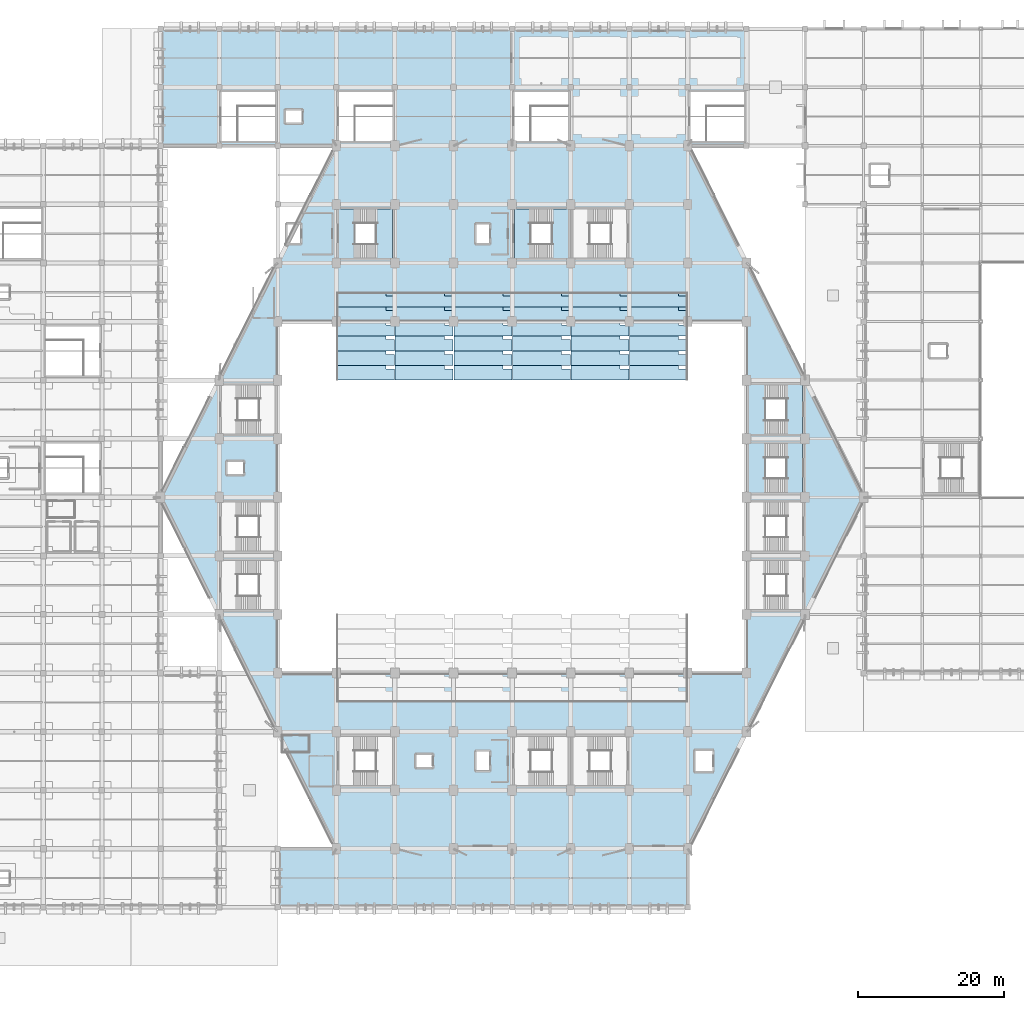
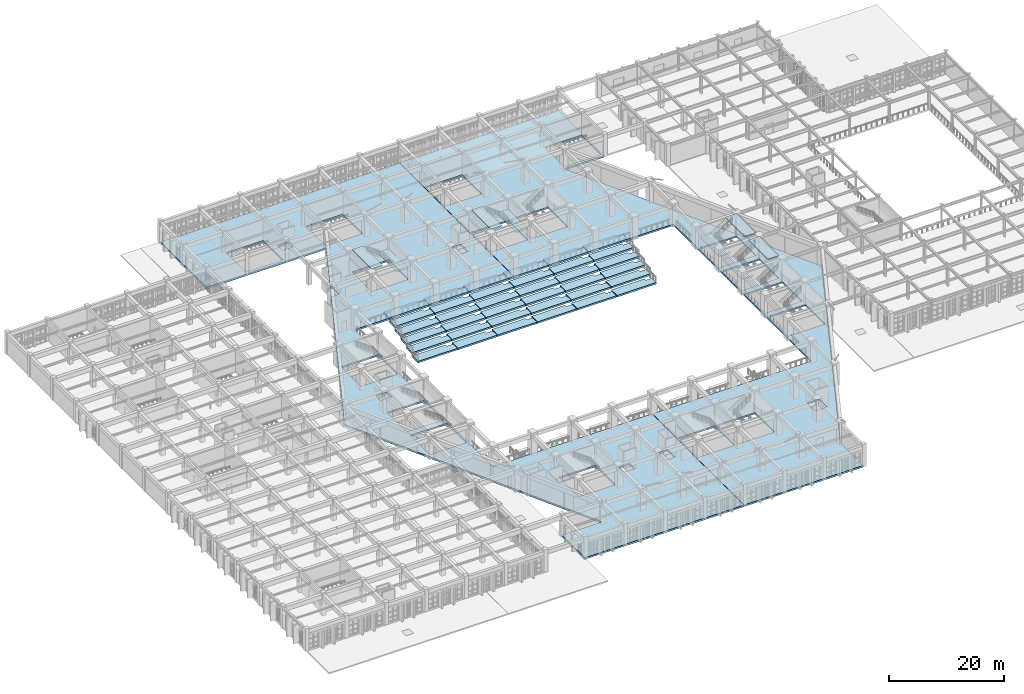
# One storey, part 105 of 155: 46 slabs, 4 elements without a shape of their own.
"""IFC4 building model written with IfcOpenShell, lengths in metres."""

import ifcopenshell
import ifcopenshell.guid

model = None  # the IFC model being written
_history = None  # IfcOwnerHistory: only IFC2X3 demands one
_inside = {}  # id of a spatial element -> (the spatial element, [elements in it])
_under = {}  # id of a project, library or spatial element -> (it, [spatial elements below it])
_declared = {}  # id of a project -> (the project, [libraries it declares])
_typed = {}  # id of a type object -> (the type object, [elements of that type])
_made_of = {}  # id of a material, layer set ... -> (it, [elements and type objects made of it])


def new_model(schema):
    """Start an empty IFC model of exactly this schema.

    Asked for "IFC4X3", IfcOpenShell would pick the latest addendum, in which some entities
    have other attributes; the version numbers below select the first issue.
    IFC2X3 requires an IfcOwnerHistory on every rooted entity: one is made here for all.
    """
    global model, _history
    if schema == "IFC4X3":
        model = ifcopenshell.file(schema_version=(4, 3, 0, 0))
    else:
        model = ifcopenshell.file(schema=schema)
    _inside.clear()
    _under.clear()
    _declared.clear()
    _typed.clear()
    _made_of.clear()
    _history = None
    if model.schema == "IFC2X3":
        org = make("IfcOrganization", Name="unknown")
        user = make(
            "IfcPersonAndOrganization",
            ThePerson=make("IfcPerson", FamilyName="unknown"),
            TheOrganization=org,
        )
        app = make(
            "IfcApplication",
            ApplicationDeveloper=org,
            Version="unknown",
            ApplicationFullName="unknown",
            ApplicationIdentifier="unknown",
        )
        _history = make(
            "IfcOwnerHistory",
            OwningUser=user,
            OwningApplication=app,
            ChangeAction="ADDED",
            CreationDate=0,
        )
    return model


def make(cls, **values):
    """One entity of the class cls with the attributes given. An attribute that is None is left unset."""
    return model.create_entity(
        cls, **{name: value for name, value in values.items() if value is not None}
    )


def rooted(cls, **values):
    """An entity with a GlobalId (a new one), such as an element, a storey or a relation."""
    return make(cls, GlobalId=ifcopenshell.guid.new(), OwnerHistory=_history, **values)


def si_unit(unit_type, name, prefix=None):
    """IfcSIUnit, for example si_unit("LENGTHUNIT", "METRE", prefix="MILLI")."""
    return make("IfcSIUnit", UnitType=unit_type, Prefix=prefix, Name=name)


def assignment(units):
    """IfcUnitAssignment: the units of a project."""
    return None if units is None else make("IfcUnitAssignment", Units=units)


def point(xyz):
    """IfcCartesianPoint."""
    return None if xyz is None else make("IfcCartesianPoint", Coordinates=xyz)


def direction(xyz):
    """IfcDirection."""
    return None if xyz is None else make("IfcDirection", DirectionRatios=xyz)


def frame(location, z_axis=None, x_axis=None):
    """IfcAxis2Placement3D, a coordinate frame: its origin and axes. An axis left out is left unset."""
    return make(
        "IfcAxis2Placement3D",
        Location=point(location),
        Axis=direction(z_axis),
        RefDirection=direction(x_axis),
    )


def origin():
    """The frame at (0, 0, 0) with its axes left unset."""
    return frame((0.0, 0.0, 0.0))


def place(relative_to, where):
    """IfcLocalPlacement: puts the frame where relative to a parent placement (None: the world)."""
    return make(
        "IfcLocalPlacement", PlacementRelTo=relative_to, RelativePlacement=where
    )


def context(
    kind, dimensions, precision=None, world=None, true_north=None, identifier=None
):
    """IfcGeometricRepresentationContext, for example the 3D "Model" context."""
    return make(
        "IfcGeometricRepresentationContext",
        ContextIdentifier=identifier,
        ContextType=kind,
        CoordinateSpaceDimension=dimensions,
        Precision=precision,
        WorldCoordinateSystem=world,
        TrueNorth=true_north,
    )


def subcontext(parent, identifier, kind, view, scale=None):
    """IfcGeometricRepresentationSubContext, for example "Body" below "Model"."""
    return make(
        "IfcGeometricRepresentationSubContext",
        ContextIdentifier=identifier,
        ContextType=kind,
        ParentContext=parent,
        TargetScale=scale,
        TargetView=view,
    )


def project(units=None, contexts=None):
    """IfcProject with its units and contexts."""
    return rooted(
        "IfcProject",
        Name="project",
        RepresentationContexts=contexts,
        UnitsInContext=assignment(units),
    )


def spatial(cls, under=None, at=None, **own):
    """A site, building, storey or space (cls), placed at a placement, below another one or the project."""
    s = rooted(cls, ObjectPlacement=at, **own)
    if under is not None:
        _under.setdefault(under.id(), (under, []))[1].append(s)
    return s


def polyline(points):
    """IfcPolyline through the points."""
    return make("IfcPolyline", Points=[point(p) for p in points])


def outline(outer, holes=None, kind="AREA"):
    """IfcArbitraryClosedProfileDef: a profile drawn as a closed curve; with holes, ...WithVoids."""
    if holes is None:
        return make("IfcArbitraryClosedProfileDef", ProfileType=kind, OuterCurve=outer)
    return make(
        "IfcArbitraryProfileDefWithVoids",
        ProfileType=kind,
        OuterCurve=outer,
        InnerCurves=holes,
    )


def extrude(swept, where, along, depth):
    """IfcExtrudedAreaSolid: the profile swept, set in the frame where, extruded along a direction by depth."""
    return make(
        "IfcExtrudedAreaSolid",
        SweptArea=swept,
        Position=where,
        ExtrudedDirection=direction(along),
        Depth=depth,
    )


def shape(context_of_items, identifier, shape_type, items):
    """IfcShapeRepresentation: the items that make up one representation, for example the "Body"."""
    return make(
        "IfcShapeRepresentation",
        ContextOfItems=context_of_items,
        RepresentationIdentifier=identifier,
        RepresentationType=shape_type,
        Items=items,
    )


def material(Name=None, Category=None):
    """IfcMaterial."""
    return make("IfcMaterial", Name=Name, Category=Category)


def layer(
    of_material, thickness, ventilated=None, Name=None, Category=None, Priority=None
):
    """IfcMaterialLayer: one layer of a wall or slab, of a material (None: an air gap)."""
    return make(
        "IfcMaterialLayer",
        Material=of_material,
        LayerThickness=thickness,
        IsVentilated=ventilated,
        Name=Name,
        Category=Category,
        Priority=Priority,
    )


def layer_set(layers, Name=None):
    """IfcMaterialLayerSet."""
    return make("IfcMaterialLayerSet", MaterialLayers=layers, LayerSetName=Name)


def made_of(thing, what):
    """Note that an element or type object is made of a material, layer set ...; save() writes the relation."""
    if what is not None:
        _made_of.setdefault(what.id(), (what, []))[1].append(thing)
    return thing


def type_object(cls, material=None, **own):
    """A type object (cls), such as IfcWallType, which elements share."""
    return made_of(rooted(cls, **own), material)


def element(
    cls,
    number,
    at=None,
    inside=None,
    cuts=None,
    type_object=None,
    material=None,
    context=None,
    identifier="Body",
    shape_type=None,
    held_by="IfcProductDefinitionShape",
    body=None,
    shapes=None,
    **own,
):
    """One element of the class cls, such as IfcWall. Its Tag is "e" and its number.

    at: its placement. inside: the storey or other place that contains it. cuts: it is an
    opening in that element (IfcRelVoidsElement). A single representation is given by context,
    identifier, shape_type and body (its items); several are given by shapes. held_by: the class
    of the entity that holds the representations. save() writes the other relations.
    """
    e = rooted(cls, Tag="e%d" % number, ObjectPlacement=at, **own)
    if body is not None:
        shapes = [shape(context, identifier, shape_type, body)]
    if shapes is not None:
        e.Representation = make(held_by, Representations=shapes)
    if inside is not None:
        _inside.setdefault(inside.id(), (inside, []))[1].append(e)
    if cuts is not None:
        rooted(
            "IfcRelVoidsElement", RelatingBuildingElement=cuts, RelatedOpeningElement=e
        )
    if type_object is not None:
        _typed.setdefault(type_object.id(), (type_object, []))[1].append(e)
    return made_of(e, material)


def aggregate(whole, parts):
    """IfcRelAggregates: a whole, such as a stair, and the parts it consists of."""
    return rooted("IfcRelAggregates", RelatingObject=whole, RelatedObjects=parts)


def save(model, path):
    """Write the relations noted so far, then the file.

    IfcRelAggregates (storeys below a building ...), IfcRelContainedInSpatialStructure (elements
    in a storey), IfcRelDefinesByType, IfcRelAssociatesMaterial and IfcRelDeclares: one each for
    every whole, place, type object, material and project.
    """
    for whole, parts in _under.values():
        aggregate(whole, parts)
    for where, things in _inside.values():
        rooted(
            "IfcRelContainedInSpatialStructure",
            RelatedElements=things,
            RelatingStructure=where,
        )
    for kind, things in _typed.values():
        rooted("IfcRelDefinesByType", RelatedObjects=things, RelatingType=kind)
    for what, things in _made_of.values():
        rooted("IfcRelAssociatesMaterial", RelatedObjects=things, RelatingMaterial=what)
    for by, libraries in _declared.values():
        rooted("IfcRelDeclares", RelatingContext=by, RelatedDefinitions=libraries)
    model.write(path)


model = new_model("IFC4")

# Units and contexts
model_context = context("Model", 3, precision=1e-05, world=origin(), true_north=direction((0.0, 1.0)))
body_context = subcontext(model_context, "Body", "Model", "MODEL_VIEW")
ifc_project = project(units=[si_unit("LENGTHUNIT", "METRE"), si_unit("AREAUNIT", "SQUARE_METRE"), si_unit("VOLUMEUNIT", "CUBIC_METRE"), si_unit("PLANEANGLEUNIT", "RADIAN"), si_unit("MASSUNIT", "GRAM", prefix="KILO")], contexts=[model_context])

# Site, building, storey
site_placement = place(None, origin())
site = spatial("IfcSite", under=ifc_project, at=site_placement, CompositionType="ELEMENT")
building_placement = place(site_placement, origin())
building = spatial("IfcBuilding", under=site, at=building_placement, Name="Tazarka Park Arena", CompositionType="ELEMENT")
storey_placement = place(building_placement, frame((0.0, 0.0, 5.39990234375)))
storey = spatial("IfcBuildingStorey", under=building, at=storey_placement, Name="L01", CompositionType="ELEMENT", Elevation=5.39990234375)

# Stair, slabs
ifc_material_1 = material(Name="Precast concrete C40/50", Category="concrete")
stair_type_1 = type_object("IfcStairType", Name="STR-2400", PredefinedType="HALF_TURN_STAIR", material=ifc_material_1)
stair_1_placement = place(storey_placement, origin())
stair_1 = element("IfcStair", 1, at=stair_1_placement, inside=storey, type_object=stair_type_1, Name="Stair ST14 L01", PredefinedType="HALF_TURN_STAIR")
ifc_material_2 = material(Name="Precast concrete C40/50", Category="concrete")
ifc_layer_1 = layer(ifc_material_2, 0.22998046875, Name="Precast concrete C40/50")
ifc_layer_set_1 = layer_set([ifc_layer_1], Name="Precast concrete C40/50")
slab_type_1 = type_object("IfcSlabType", Name="LND-03", PredefinedType="LANDING", material=ifc_layer_set_1)
slab_1_placement = place(storey_placement, frame((0.0, 0.0, 2.170166015625)))
slab_1 = element("IfcSlab", 2, at=slab_1_placement, type_object=slab_type_1, Name="ST14-L01 landing 1", PredefinedType="LANDING", context=body_context, shape_type="SweptSolid", body=[
    extrude(outline(polyline([(69.409912109375, 96.610107421875), (71.68994140625, 96.610107421875), (71.68994140625, 103.389892578125), (69.409912109375, 103.389892578125), (69.409912109375, 96.610107421875)])), origin(), (0.0, 0.0, 1.0), 0.22998046875),
])
slab_2_placement = place(storey_placement, frame((0.0, 0.0, 4.570068359375)))
slab_2 = element("IfcSlab", 3, at=slab_2_placement, type_object=slab_type_1, Name="ST14-L01 landing 2", PredefinedType="LANDING", context=body_context, shape_type="SweptSolid", body=[
    extrude(outline(polyline([(64.31005859375, 96.610107421875), (66.534912109375, 96.610107421875), (66.534912109375, 103.389892578125), (64.31005859375, 103.389892578125), (64.31005859375, 96.610107421875)])), origin(), (0.0, 0.0, 1.0), 0.22998046875),
])
aggregate(stair_1, [slab_1, slab_2])

stair_2_placement = place(storey_placement, origin())
stair_2 = element("IfcStair", 4, at=stair_2_placement, inside=storey, type_object=stair_type_1, Name="Stair ST15 L01", PredefinedType="HALF_TURN_STAIR")
slab_3_placement = place(storey_placement, frame((0.0, 0.0, 2.170166015625)))
slab_3 = element("IfcSlab", 5, at=slab_3_placement, type_object=slab_type_1, Name="ST15-L01 landing 1", PredefinedType="LANDING", context=body_context, shape_type="SweptSolid", body=[
    extrude(outline(polyline([(93.409912109375, 96.610107421875), (95.68994140625, 96.610107421875), (95.68994140625, 103.389892578125), (93.409912109375, 103.389892578125), (93.409912109375, 96.610107421875)])), origin(), (0.0, 0.0, 1.0), 0.22998046875),
])
slab_4_placement = place(storey_placement, frame((0.0, 0.0, 4.570068359375)))
slab_4 = element("IfcSlab", 6, at=slab_4_placement, type_object=slab_type_1, Name="ST15-L01 landing 2", PredefinedType="LANDING", context=body_context, shape_type="SweptSolid", body=[
    extrude(outline(polyline([(88.31005859375, 96.610107421875), (90.534912109375, 96.610107421875), (90.534912109375, 103.389892578125), (88.31005859375, 103.389892578125), (88.31005859375, 96.610107421875)])), origin(), (0.0, 0.0, 1.0), 0.22998046875),
])
aggregate(stair_2, [slab_3, slab_4])

stair_3_placement = place(storey_placement, origin())
stair_3 = element("IfcStair", 7, at=stair_3_placement, inside=storey, type_object=stair_type_1, Name="Stair ST16 L01", PredefinedType="HALF_TURN_STAIR")
slab_5_placement = place(storey_placement, frame((0.0, 0.0, 2.170166015625)))
slab_5 = element("IfcSlab", 8, at=slab_5_placement, type_object=slab_type_1, Name="ST16-L01 landing 1", PredefinedType="LANDING", context=body_context, shape_type="SweptSolid", body=[
    extrude(outline(polyline([(120.31005859375, 64.610107421875), (122.590087890625, 64.610107421875), (122.590087890625, 71.389892578125), (120.31005859375, 71.389892578125), (120.31005859375, 64.610107421875)])), origin(), (0.0, 0.0, 1.0), 0.22998046875),
])
slab_6_placement = place(storey_placement, frame((0.0, 0.0, 4.570068359375)))
slab_6 = element("IfcSlab", 9, at=slab_6_placement, type_object=slab_type_1, Name="ST16-L01 landing 2", PredefinedType="LANDING", context=body_context, shape_type="SweptSolid", body=[
    extrude(outline(polyline([(125.465087890625, 64.610107421875), (127.68994140625, 64.610107421875), (127.68994140625, 71.389892578125), (125.465087890625, 71.389892578125), (125.465087890625, 64.610107421875)])), origin(), (0.0, 0.0, 1.0), 0.22998046875),
])
aggregate(stair_3, [slab_5, slab_6])

ifc_material_3 = material(Name="Precast concrete C40/50", Category="concrete")
stair_type_2 = type_object("IfcStairType", Name="STR-1800", PredefinedType="HALF_TURN_STAIR", material=ifc_material_3)
stair_4_placement = place(storey_placement, origin())
stair_4 = element("IfcStair", 10, at=stair_4_placement, inside=storey, type_object=stair_type_2, Name="Vomitory Stair ST22 L01", PredefinedType="HALF_TURN_STAIR")
slab_7_placement = place(storey_placement, frame((0.0, 0.0, 2.170166015625)))
slab_7 = element("IfcSlab", 11, at=slab_7_placement, type_object=slab_type_1, Name="ST22-L01 landing 1", PredefinedType="LANDING", context=body_context, shape_type="SweptSolid", body=[
    extrude(outline(polyline([(120.31005859375, 72.610107421875), (122.590087890625, 72.610107421875), (122.590087890625, 79.389892578125), (120.31005859375, 79.389892578125), (120.31005859375, 72.610107421875)])), origin(), (0.0, 0.0, 1.0), 0.22998046875),
])
slab_8_placement = place(storey_placement, frame((0.0, 0.0, 4.570068359375)))
slab_8 = element("IfcSlab", 12, at=slab_8_placement, type_object=slab_type_1, Name="ST22-L01 landing 2", PredefinedType="LANDING", context=body_context, shape_type="SweptSolid", body=[
    extrude(outline(polyline([(125.465087890625, 72.610107421875), (127.68994140625, 72.610107421875), (127.68994140625, 79.389892578125), (125.465087890625, 79.389892578125), (125.465087890625, 72.610107421875)])), origin(), (0.0, 0.0, 1.0), 0.22998046875),
])
aggregate(stair_4, [slab_7, slab_8])

# Slabs
ifc_material_4 = material(Name="Concrete C35/45", Category="concrete")
ifc_layer_2 = layer(ifc_material_4, 0.340087890625, Name="Concrete C35/45")
ifc_layer_set_2 = layer_set([ifc_layer_2], Name="Concrete C35/45")
slab_type_2 = type_object("IfcSlabType", Name="SLB-SL-04", PredefinedType="FLOOR", material=ifc_layer_set_2)
slab_9_placement = place(storey_placement, frame((0.0, 0.0, -0.33984375)))
element("IfcSlab", 13, at=slab_9_placement, inside=storey, type_object=slab_type_2, Name="FLR-L01-BE-01", PredefinedType="FLOOR", context=body_context, shape_type="SweptSolid", body=[
    extrude(outline(polyline([(88.050048828125, 8.0), (88.02001953125, 8.030029296875), (88.02880859375, 39.9912109375), (120.0, 40.0), (120.0, 87.999267578125), (88.02685546875, 88.010986328125), (88.021240234375, 127.978759765625), (119.978759765625, 127.998779296875), (119.99658203125, 112.015869140625), (112.0, 112.0), (135.976806640625, 64.04638671875), (135.978759765625, 63.958740234375), (112.0, 16.0), (111.9931640625, 8.010986328125), (88.050048828125, 8.0)]), holes=[polyline([(120.300048828125, 48.60009765625), (127.699951171875, 48.60009765625), (127.699951171875, 55.39990234375), (120.300048828125, 55.39990234375), (120.300048828125, 48.60009765625)]), polyline([(120.300048828125, 56.60009765625), (127.699951171875, 56.60009765625), (127.699951171875, 63.39990234375), (120.300048828125, 63.39990234375), (120.300048828125, 56.60009765625)]), polyline([(120.300048828125, 64.60009765625), (127.699951171875, 64.60009765625), (127.699951171875, 71.39990234375), (120.300048828125, 71.39990234375), (120.300048828125, 64.60009765625)]), polyline([(120.300048828125, 72.60009765625), (127.699951171875, 72.60009765625), (127.699951171875, 79.39990234375), (120.300048828125, 79.39990234375), (120.300048828125, 72.60009765625)]), polyline([(112.300048828125, 112.60009765625), (119.699951171875, 112.60009765625), (119.699951171875, 119.39990234375), (112.300048828125, 119.39990234375), (112.300048828125, 112.60009765625)]), polyline([(113.010009765625, 26.610107421875), (115.389892578125, 26.610107421875), (115.389892578125, 29.389892578125), (113.010009765625, 29.389892578125), (113.010009765625, 26.610107421875)]), polyline([(96.300048828125, 24.60009765625), (103.699951171875, 24.60009765625), (103.699951171875, 31.39990234375), (96.300048828125, 31.39990234375), (96.300048828125, 24.60009765625)]), polyline([(96.300048828125, 96.60009765625), (103.699951171875, 96.60009765625), (103.699951171875, 103.39990234375), (96.300048828125, 103.39990234375), (96.300048828125, 96.60009765625)]), polyline([(88.300048828125, 24.60009765625), (95.699951171875, 24.60009765625), (95.699951171875, 31.39990234375), (88.300048828125, 31.39990234375), (88.300048828125, 24.60009765625)]), polyline([(88.300048828125, 96.60009765625), (95.699951171875, 96.60009765625), (95.699951171875, 103.39990234375), (88.300048828125, 103.39990234375), (88.300048828125, 96.60009765625)]), polyline([(88.300048828125, 112.60009765625), (95.699951171875, 112.60009765625), (95.699951171875, 119.39990234375), (88.300048828125, 119.39990234375), (88.300048828125, 112.60009765625)])]), origin(), (0.0, 0.0, 1.0), 0.33984375),
])
ifc_material_5 = material(Name="Concrete C35/45", Category="concrete")
ifc_layer_3 = layer(ifc_material_5, 0.360107421875, Name="Concrete C35/45")
ifc_layer_set_3 = layer_set([ifc_layer_3], Name="Concrete C35/45")
slab_type_3 = type_object("IfcSlabType", Name="SLB-SL-05", PredefinedType="FLOOR", material=ifc_layer_set_3)
slab_10_placement = place(storey_placement, frame((0.0, 0.0, -0.35986328125)))
element("IfcSlab", 14, at=slab_10_placement, inside=storey, type_object=slab_type_3, Name="FLR-L01-BW-02", PredefinedType="FLOOR", context=body_context, shape_type="SweptSolid", body=[
    extrude(outline(polyline([(56.0, 88.0), (56.0, 40.0), (87.97119140625, 39.9912109375), (87.96142578125, 8.002197265625), (56.002197265625, 8.0185546875), (56.0087890625, 15.9912109375), (64.0, 16.0), (40.003662109375, 64.00146484375), (57.3466796875, 98.693359375), (59.090087890625, 98.7099609375), (59.090087890625, 101.2900390625), (58.690673828125, 101.2900390625), (58.66552734375, 101.330810546875), (64.0, 112.0), (40.01318359375, 112.005126953125), (40.0, 127.969970703125), (40.030029296875, 128.0), (87.968994140625, 127.9931640625), (87.97314453125, 88.010986328125), (56.0, 88.0)]), holes=[polyline([(83.110107421875, 26.7099609375), (84.889892578125, 26.7099609375), (84.889892578125, 29.2900390625), (83.110107421875, 29.2900390625), (83.110107421875, 26.7099609375)]), polyline([(83.110107421875, 98.7099609375), (84.889892578125, 98.7099609375), (84.889892578125, 101.2900390625), (83.110107421875, 101.2900390625), (83.110107421875, 98.7099609375)]), polyline([(74.909912109375, 27.159912109375), (77.090087890625, 27.159912109375), (77.090087890625, 28.840087890625), (74.909912109375, 28.840087890625), (74.909912109375, 27.159912109375)]), polyline([(64.300048828125, 24.60009765625), (71.699951171875, 24.60009765625), (71.699951171875, 31.39990234375), (64.300048828125, 31.39990234375), (64.300048828125, 24.60009765625)]), polyline([(64.300048828125, 96.60009765625), (71.699951171875, 96.60009765625), (71.699951171875, 103.39990234375), (64.300048828125, 103.39990234375), (64.300048828125, 96.60009765625)]), polyline([(64.300048828125, 112.60009765625), (71.699951171875, 112.60009765625), (71.699951171875, 119.39990234375), (64.300048828125, 119.39990234375), (64.300048828125, 112.60009765625)]), polyline([(57.110107421875, 115.159912109375), (59.2900390625, 115.159912109375), (59.2900390625, 116.840087890625), (57.110107421875, 116.840087890625), (57.110107421875, 115.159912109375)]), polyline([(48.300048828125, 72.60009765625), (55.699951171875, 72.60009765625), (55.699951171875, 79.39990234375), (48.300048828125, 79.39990234375), (48.300048828125, 72.60009765625)]), polyline([(48.300048828125, 112.60009765625), (55.699951171875, 112.60009765625), (55.699951171875, 119.39990234375), (48.300048828125, 119.39990234375), (48.300048828125, 112.60009765625)]), polyline([(48.300048828125, 48.60009765625), (55.699951171875, 48.60009765625), (55.699951171875, 55.39990234375), (48.300048828125, 55.39990234375), (48.300048828125, 48.60009765625)]), polyline([(48.300048828125, 56.60009765625), (55.699951171875, 56.60009765625), (55.699951171875, 63.39990234375), (48.300048828125, 63.39990234375), (48.300048828125, 56.60009765625)]), polyline([(49.110107421875, 67.159912109375), (51.2900390625, 67.159912109375), (51.2900390625, 68.840087890625), (49.110107421875, 68.840087890625), (49.110107421875, 67.159912109375)])]), origin(), (0.0, 0.0, 1.0), 0.35986328125),
])
ifc_material_6 = material(Name="Precast concrete C40/50", Category="concrete")
ifc_layer_4 = layer(ifc_material_6, 0.35009765625, Name="Precast concrete C40/50")
ifc_layer_set_4 = layer_set([ifc_layer_4], Name="Precast concrete C40/50")
slab_type_4 = type_object("IfcSlabType", Name="SLB-TR-01", PredefinedType="USERDEFINED", material=ifc_layer_set_4)
slab_11_placement = place(storey_placement, frame((0.0, 0.0, -5.099853515625)))
element("IfcSlab", 15, at=slab_11_placement, inside=storey, type_object=slab_type_4, Name="Stand Lower Tier N08-1", ObjectType="SEATING TIER", PredefinedType="USERDEFINED", context=body_context, shape_type="SweptSolid", body=[
    extrude(outline(polyline([(64.0400390625, 80.0), (71.9599609375, 80.0), (71.9599609375, 81.52001953125), (70.75, 81.52001953125), (70.75, 82.0), (64.0400390625, 82.0), (64.0400390625, 80.0)])), origin(), (0.0, 0.0, 1.0), 0.349853515625),
])
slab_12_placement = place(storey_placement, frame((0.0, 0.0, -5.099853515625)))
element("IfcSlab", 16, at=slab_12_placement, inside=storey, type_object=slab_type_4, Name="Stand Lower Tier N09-1", ObjectType="SEATING TIER", PredefinedType="USERDEFINED", context=body_context, shape_type="SweptSolid", body=[
    extrude(outline(polyline([(72.0400390625, 80.0), (79.9599609375, 80.0), (79.9599609375, 81.52001953125), (78.75, 81.52001953125), (78.75, 82.0), (72.0400390625, 82.0), (72.0400390625, 80.0)])), origin(), (0.0, 0.0, 1.0), 0.349853515625),
])
slab_13_placement = place(storey_placement, frame((0.0, 0.0, -5.099853515625)))
element("IfcSlab", 17, at=slab_13_placement, inside=storey, type_object=slab_type_4, Name="Stand Lower Tier N10-1", ObjectType="SEATING TIER", PredefinedType="USERDEFINED", context=body_context, shape_type="SweptSolid", body=[
    extrude(outline(polyline([(80.0400390625, 80.0), (87.9599609375, 80.0), (87.9599609375, 81.52001953125), (86.75, 81.52001953125), (86.75, 82.0), (80.0400390625, 82.0), (80.0400390625, 80.0)])), origin(), (0.0, 0.0, 1.0), 0.349853515625),
])
slab_14_placement = place(storey_placement, frame((0.0, 0.0, -5.099853515625)))
element("IfcSlab", 18, at=slab_14_placement, inside=storey, type_object=slab_type_4, Name="Stand Lower Tier N11-1", ObjectType="SEATING TIER", PredefinedType="USERDEFINED", context=body_context, shape_type="SweptSolid", body=[
    extrude(outline(polyline([(88.0400390625, 80.0), (95.9599609375, 80.0), (95.9599609375, 81.52001953125), (94.75, 81.52001953125), (94.75, 82.0), (88.0400390625, 82.0), (88.0400390625, 80.0)])), origin(), (0.0, 0.0, 1.0), 0.349853515625),
])
slab_15_placement = place(storey_placement, frame((0.0, 0.0, -5.099853515625)))
element("IfcSlab", 19, at=slab_15_placement, inside=storey, type_object=slab_type_4, Name="Stand Lower Tier N12-1", ObjectType="SEATING TIER", PredefinedType="USERDEFINED", context=body_context, shape_type="SweptSolid", body=[
    extrude(outline(polyline([(96.0400390625, 80.0), (103.9599609375, 80.0), (103.9599609375, 81.52001953125), (102.75, 81.52001953125), (102.75, 82.0), (96.0400390625, 82.0), (96.0400390625, 80.0)])), origin(), (0.0, 0.0, 1.0), 0.349853515625),
])
slab_16_placement = place(storey_placement, frame((0.0, 0.0, -5.099853515625)))
element("IfcSlab", 20, at=slab_16_placement, inside=storey, type_object=slab_type_4, Name="Stand Lower Tier N13-1", ObjectType="SEATING TIER", PredefinedType="USERDEFINED", context=body_context, shape_type="SweptSolid", body=[
    extrude(outline(polyline([(104.0400390625, 80.0), (111.9599609375, 80.0), (111.9599609375, 81.52001953125), (110.75, 81.52001953125), (110.75, 82.0), (104.0400390625, 82.0), (104.0400390625, 80.0)])), origin(), (0.0, 0.0, 1.0), 0.349853515625),
])
ifc_material_7 = material(Name="Precast concrete C40/50", Category="concrete")
ifc_layer_5 = layer(ifc_material_7, 0.3701171875, Name="Precast concrete C40/50")
ifc_layer_set_5 = layer_set([ifc_layer_5], Name="Precast concrete C40/50")
slab_type_5 = type_object("IfcSlabType", Name="SLB-TR-02", PredefinedType="USERDEFINED", material=ifc_layer_set_5)
slab_17_placement = place(storey_placement, frame((0.0, 0.0, -4.469970703125)))
element("IfcSlab", 21, at=slab_17_placement, inside=storey, type_object=slab_type_5, Name="Stand Lower Tier N08-2", ObjectType="SEATING TIER", PredefinedType="USERDEFINED", context=body_context, shape_type="SweptSolid", body=[
    extrude(outline(polyline([(64.0400390625, 82.0), (71.9599609375, 82.0), (71.9599609375, 83.52001953125), (70.75, 83.52001953125), (70.75, 84.0), (64.0400390625, 84.0), (64.0400390625, 82.0)])), origin(), (0.0, 0.0, 1.0), 0.3701171875),
])
slab_18_placement = place(storey_placement, frame((0.0, 0.0, -4.469970703125)))
element("IfcSlab", 22, at=slab_18_placement, inside=storey, type_object=slab_type_5, Name="Stand Lower Tier N09-2", ObjectType="SEATING TIER", PredefinedType="USERDEFINED", context=body_context, shape_type="SweptSolid", body=[
    extrude(outline(polyline([(72.0400390625, 82.0), (79.9599609375, 82.0), (79.9599609375, 83.52001953125), (78.75, 83.52001953125), (78.75, 84.0), (72.0400390625, 84.0), (72.0400390625, 82.0)])), origin(), (0.0, 0.0, 1.0), 0.3701171875),
])
slab_19_placement = place(storey_placement, frame((0.0, 0.0, -4.469970703125)))
element("IfcSlab", 23, at=slab_19_placement, inside=storey, type_object=slab_type_5, Name="Stand Lower Tier N10-2", ObjectType="SEATING TIER", PredefinedType="USERDEFINED", context=body_context, shape_type="SweptSolid", body=[
    extrude(outline(polyline([(80.0400390625, 82.0), (87.9599609375, 82.0), (87.9599609375, 83.52001953125), (86.75, 83.52001953125), (86.75, 84.0), (80.0400390625, 84.0), (80.0400390625, 82.0)])), origin(), (0.0, 0.0, 1.0), 0.3701171875),
])
slab_20_placement = place(storey_placement, frame((0.0, 0.0, -4.469970703125)))
element("IfcSlab", 24, at=slab_20_placement, inside=storey, type_object=slab_type_5, Name="Stand Lower Tier N11-2", ObjectType="SEATING TIER", PredefinedType="USERDEFINED", context=body_context, shape_type="SweptSolid", body=[
    extrude(outline(polyline([(88.0400390625, 82.0), (95.9599609375, 82.0), (95.9599609375, 83.52001953125), (94.75, 83.52001953125), (94.75, 84.0), (88.0400390625, 84.0), (88.0400390625, 82.0)])), origin(), (0.0, 0.0, 1.0), 0.3701171875),
])
slab_21_placement = place(storey_placement, frame((0.0, 0.0, -4.469970703125)))
element("IfcSlab", 25, at=slab_21_placement, inside=storey, type_object=slab_type_5, Name="Stand Lower Tier N12-2", ObjectType="SEATING TIER", PredefinedType="USERDEFINED", context=body_context, shape_type="SweptSolid", body=[
    extrude(outline(polyline([(96.0400390625, 82.0), (103.9599609375, 82.0), (103.9599609375, 83.52001953125), (102.75, 83.52001953125), (102.75, 84.0), (96.0400390625, 84.0), (96.0400390625, 82.0)])), origin(), (0.0, 0.0, 1.0), 0.3701171875),
])
slab_22_placement = place(storey_placement, frame((0.0, 0.0, -4.469970703125)))
element("IfcSlab", 26, at=slab_22_placement, inside=storey, type_object=slab_type_5, Name="Stand Lower Tier N13-2", ObjectType="SEATING TIER", PredefinedType="USERDEFINED", context=body_context, shape_type="SweptSolid", body=[
    extrude(outline(polyline([(104.0400390625, 82.0), (111.9599609375, 82.0), (111.9599609375, 83.52001953125), (110.75, 83.52001953125), (110.75, 84.0), (104.0400390625, 84.0), (104.0400390625, 82.0)])), origin(), (0.0, 0.0, 1.0), 0.3701171875),
])
ifc_material_8 = material(Name="Precast concrete C40/50", Category="concrete")
ifc_layer_6 = layer(ifc_material_8, 0.389892578125, Name="Precast concrete C40/50")
ifc_layer_set_6 = layer_set([ifc_layer_6], Name="Precast concrete C40/50")
slab_type_6 = type_object("IfcSlabType", Name="SLB-TR-03", PredefinedType="USERDEFINED", material=ifc_layer_set_6)
slab_23_placement = place(storey_placement, frame((0.0, 0.0, -3.83984375)))
element("IfcSlab", 27, at=slab_23_placement, inside=storey, type_object=slab_type_6, Name="Stand Lower Tier N08-3", ObjectType="SEATING TIER", PredefinedType="USERDEFINED", context=body_context, shape_type="SweptSolid", body=[
    extrude(outline(polyline([(64.0400390625, 84.0), (71.9599609375, 84.0), (71.9599609375, 85.52001953125), (70.75, 85.52001953125), (70.75, 86.0), (64.0400390625, 86.0), (64.0400390625, 84.0)])), origin(), (0.0, 0.0, 1.0), 0.389892578125),
])
slab_24_placement = place(storey_placement, frame((0.0, 0.0, -3.83984375)))
element("IfcSlab", 28, at=slab_24_placement, inside=storey, type_object=slab_type_6, Name="Stand Lower Tier N09-3", ObjectType="SEATING TIER", PredefinedType="USERDEFINED", context=body_context, shape_type="SweptSolid", body=[
    extrude(outline(polyline([(72.0400390625, 84.0), (79.9599609375, 84.0), (79.9599609375, 85.52001953125), (78.75, 85.52001953125), (78.75, 86.0), (72.0400390625, 86.0), (72.0400390625, 84.0)])), origin(), (0.0, 0.0, 1.0), 0.389892578125),
])
slab_25_placement = place(storey_placement, frame((0.0, 0.0, -3.83984375)))
element("IfcSlab", 29, at=slab_25_placement, inside=storey, type_object=slab_type_6, Name="Stand Lower Tier N10-3", ObjectType="SEATING TIER", PredefinedType="USERDEFINED", context=body_context, shape_type="SweptSolid", body=[
    extrude(outline(polyline([(80.0400390625, 84.0), (87.9599609375, 84.0), (87.9599609375, 85.52001953125), (86.75, 85.52001953125), (86.75, 86.0), (80.0400390625, 86.0), (80.0400390625, 84.0)])), origin(), (0.0, 0.0, 1.0), 0.389892578125),
])
slab_26_placement = place(storey_placement, frame((0.0, 0.0, -3.83984375)))
element("IfcSlab", 30, at=slab_26_placement, inside=storey, type_object=slab_type_6, Name="Stand Lower Tier N11-3", ObjectType="SEATING TIER", PredefinedType="USERDEFINED", context=body_context, shape_type="SweptSolid", body=[
    extrude(outline(polyline([(88.0400390625, 84.0), (95.9599609375, 84.0), (95.9599609375, 85.52001953125), (94.75, 85.52001953125), (94.75, 86.0), (88.0400390625, 86.0), (88.0400390625, 84.0)])), origin(), (0.0, 0.0, 1.0), 0.389892578125),
])
slab_27_placement = place(storey_placement, frame((0.0, 0.0, -3.83984375)))
element("IfcSlab", 31, at=slab_27_placement, inside=storey, type_object=slab_type_6, Name="Stand Lower Tier N12-3", ObjectType="SEATING TIER", PredefinedType="USERDEFINED", context=body_context, shape_type="SweptSolid", body=[
    extrude(outline(polyline([(96.0400390625, 84.0), (103.9599609375, 84.0), (103.9599609375, 85.52001953125), (102.75, 85.52001953125), (102.75, 86.0), (96.0400390625, 86.0), (96.0400390625, 84.0)])), origin(), (0.0, 0.0, 1.0), 0.389892578125),
])
slab_28_placement = place(storey_placement, frame((0.0, 0.0, -3.83984375)))
element("IfcSlab", 32, at=slab_28_placement, inside=storey, type_object=slab_type_6, Name="Stand Lower Tier N13-3", ObjectType="SEATING TIER", PredefinedType="USERDEFINED", context=body_context, shape_type="SweptSolid", body=[
    extrude(outline(polyline([(104.0400390625, 84.0), (111.9599609375, 84.0), (111.9599609375, 85.52001953125), (110.75, 85.52001953125), (110.75, 86.0), (104.0400390625, 86.0), (104.0400390625, 84.0)])), origin(), (0.0, 0.0, 1.0), 0.389892578125),
])
ifc_material_9 = material(Name="Precast concrete C40/50", Category="concrete")
ifc_layer_7 = layer(ifc_material_9, 0.409912109375, Name="Precast concrete C40/50")
ifc_layer_set_7 = layer_set([ifc_layer_7], Name="Precast concrete C40/50")
slab_type_7 = type_object("IfcSlabType", Name="SLB-TR-04", PredefinedType="USERDEFINED", material=ifc_layer_set_7)
slab_29_placement = place(storey_placement, frame((0.0, 0.0, -3.2099609375)))
element("IfcSlab", 33, at=slab_29_placement, inside=storey, type_object=slab_type_7, Name="Stand Lower Tier N08-4", ObjectType="SEATING TIER", PredefinedType="USERDEFINED", context=body_context, shape_type="SweptSolid", body=[
    extrude(outline(polyline([(64.0400390625, 86.0), (71.9599609375, 86.0), (71.9599609375, 87.52001953125), (70.75, 87.52001953125), (70.75, 88.0), (64.0400390625, 88.0), (64.0400390625, 86.0)])), origin(), (0.0, 0.0, 1.0), 0.41015625),
])
slab_30_placement = place(storey_placement, frame((0.0, 0.0, -3.2099609375)))
element("IfcSlab", 34, at=slab_30_placement, inside=storey, type_object=slab_type_7, Name="Stand Lower Tier N09-4", ObjectType="SEATING TIER", PredefinedType="USERDEFINED", context=body_context, shape_type="SweptSolid", body=[
    extrude(outline(polyline([(72.0400390625, 86.0), (79.9599609375, 86.0), (79.9599609375, 87.52001953125), (78.75, 87.52001953125), (78.75, 88.0), (72.0400390625, 88.0), (72.0400390625, 86.0)])), origin(), (0.0, 0.0, 1.0), 0.41015625),
])
slab_31_placement = place(storey_placement, frame((0.0, 0.0, -3.2099609375)))
element("IfcSlab", 35, at=slab_31_placement, inside=storey, type_object=slab_type_7, Name="Stand Lower Tier N10-4", ObjectType="SEATING TIER", PredefinedType="USERDEFINED", context=body_context, shape_type="SweptSolid", body=[
    extrude(outline(polyline([(80.0400390625, 86.0), (87.9599609375, 86.0), (87.9599609375, 87.52001953125), (86.75, 87.52001953125), (86.75, 88.0), (80.0400390625, 88.0), (80.0400390625, 86.0)])), origin(), (0.0, 0.0, 1.0), 0.41015625),
])
slab_32_placement = place(storey_placement, frame((0.0, 0.0, -3.2099609375)))
element("IfcSlab", 36, at=slab_32_placement, inside=storey, type_object=slab_type_7, Name="Stand Lower Tier N11-4", ObjectType="SEATING TIER", PredefinedType="USERDEFINED", context=body_context, shape_type="SweptSolid", body=[
    extrude(outline(polyline([(88.0400390625, 86.0), (95.9599609375, 86.0), (95.9599609375, 87.52001953125), (94.75, 87.52001953125), (94.75, 88.0), (88.0400390625, 88.0), (88.0400390625, 86.0)])), origin(), (0.0, 0.0, 1.0), 0.41015625),
])
slab_33_placement = place(storey_placement, frame((0.0, 0.0, -3.2099609375)))
element("IfcSlab", 37, at=slab_33_placement, inside=storey, type_object=slab_type_7, Name="Stand Lower Tier N12-4", ObjectType="SEATING TIER", PredefinedType="USERDEFINED", context=body_context, shape_type="SweptSolid", body=[
    extrude(outline(polyline([(96.0400390625, 86.0), (103.9599609375, 86.0), (103.9599609375, 87.52001953125), (102.75, 87.52001953125), (102.75, 88.0), (96.0400390625, 88.0), (96.0400390625, 86.0)])), origin(), (0.0, 0.0, 1.0), 0.41015625),
])
slab_34_placement = place(storey_placement, frame((0.0, 0.0, -3.2099609375)))
element("IfcSlab", 38, at=slab_34_placement, inside=storey, type_object=slab_type_7, Name="Stand Lower Tier N13-4", ObjectType="SEATING TIER", PredefinedType="USERDEFINED", context=body_context, shape_type="SweptSolid", body=[
    extrude(outline(polyline([(104.0400390625, 86.0), (111.9599609375, 86.0), (111.9599609375, 87.52001953125), (110.75, 87.52001953125), (110.75, 88.0), (104.0400390625, 88.0), (104.0400390625, 86.0)])), origin(), (0.0, 0.0, 1.0), 0.41015625),
])
ifc_material_10 = material(Name="Precast concrete C40/50", Category="concrete")
ifc_layer_8 = layer(ifc_material_10, 0.429931640625, Name="Precast concrete C40/50")
ifc_layer_set_8 = layer_set([ifc_layer_8], Name="Precast concrete C40/50")
slab_type_8 = type_object("IfcSlabType", Name="SLB-TR-05", PredefinedType="USERDEFINED", material=ifc_layer_set_8)
slab_35_placement = place(storey_placement, frame((0.0, 0.0, -2.579833984375)))
element("IfcSlab", 39, at=slab_35_placement, inside=storey, type_object=slab_type_8, Name="Stand Lower Tier N08-5", ObjectType="SEATING TIER", PredefinedType="USERDEFINED", context=body_context, shape_type="SweptSolid", body=[
    extrude(outline(polyline([(64.0400390625, 88.0), (71.9599609375, 88.0), (71.9599609375, 89.52001953125), (70.75, 89.52001953125), (70.75, 90.0), (64.0400390625, 90.0), (64.0400390625, 88.0)])), origin(), (0.0, 0.0, 1.0), 0.429931640625),
])
slab_36_placement = place(storey_placement, frame((0.0, 0.0, -2.579833984375)))
element("IfcSlab", 40, at=slab_36_placement, inside=storey, type_object=slab_type_8, Name="Stand Lower Tier N09-5", ObjectType="SEATING TIER", PredefinedType="USERDEFINED", context=body_context, shape_type="SweptSolid", body=[
    extrude(outline(polyline([(72.0400390625, 88.0), (79.9599609375, 88.0), (79.9599609375, 89.52001953125), (78.75, 89.52001953125), (78.75, 90.0), (72.0400390625, 90.0), (72.0400390625, 88.0)])), origin(), (0.0, 0.0, 1.0), 0.429931640625),
])
slab_37_placement = place(storey_placement, frame((0.0, 0.0, -2.579833984375)))
element("IfcSlab", 41, at=slab_37_placement, inside=storey, type_object=slab_type_8, Name="Stand Lower Tier N10-5", ObjectType="SEATING TIER", PredefinedType="USERDEFINED", context=body_context, shape_type="SweptSolid", body=[
    extrude(outline(polyline([(80.0400390625, 88.0), (87.9599609375, 88.0), (87.9599609375, 89.52001953125), (86.75, 89.52001953125), (86.75, 90.0), (80.0400390625, 90.0), (80.0400390625, 88.0)])), origin(), (0.0, 0.0, 1.0), 0.429931640625),
])
slab_38_placement = place(storey_placement, frame((0.0, 0.0, -2.579833984375)))
element("IfcSlab", 42, at=slab_38_placement, inside=storey, type_object=slab_type_8, Name="Stand Lower Tier N11-5", ObjectType="SEATING TIER", PredefinedType="USERDEFINED", context=body_context, shape_type="SweptSolid", body=[
    extrude(outline(polyline([(88.0400390625, 88.0), (95.9599609375, 88.0), (95.9599609375, 89.52001953125), (94.75, 89.52001953125), (94.75, 90.0), (88.0400390625, 90.0), (88.0400390625, 88.0)])), origin(), (0.0, 0.0, 1.0), 0.429931640625),
])
slab_39_placement = place(storey_placement, frame((0.0, 0.0, -2.579833984375)))
element("IfcSlab", 43, at=slab_39_placement, inside=storey, type_object=slab_type_8, Name="Stand Lower Tier N12-5", ObjectType="SEATING TIER", PredefinedType="USERDEFINED", context=body_context, shape_type="SweptSolid", body=[
    extrude(outline(polyline([(96.0400390625, 88.0), (103.9599609375, 88.0), (103.9599609375, 89.52001953125), (102.75, 89.52001953125), (102.75, 90.0), (96.0400390625, 90.0), (96.0400390625, 88.0)])), origin(), (0.0, 0.0, 1.0), 0.429931640625),
])
slab_40_placement = place(storey_placement, frame((0.0, 0.0, -2.579833984375)))
element("IfcSlab", 44, at=slab_40_placement, inside=storey, type_object=slab_type_8, Name="Stand Lower Tier N13-5", ObjectType="SEATING TIER", PredefinedType="USERDEFINED", context=body_context, shape_type="SweptSolid", body=[
    extrude(outline(polyline([(104.0400390625, 88.0), (111.9599609375, 88.0), (111.9599609375, 89.52001953125), (110.75, 89.52001953125), (110.75, 90.0), (104.0400390625, 90.0), (104.0400390625, 88.0)])), origin(), (0.0, 0.0, 1.0), 0.429931640625),
])
ifc_material_11 = material(Name="Precast concrete C40/50", Category="concrete")
ifc_layer_9 = layer(ifc_material_11, 0.43994140625, Name="Precast concrete C40/50")
ifc_layer_set_9 = layer_set([ifc_layer_9], Name="Precast concrete C40/50")
slab_type_9 = type_object("IfcSlabType", Name="SLB-TR-06", PredefinedType="USERDEFINED", material=ifc_layer_set_9)
slab_41_placement = place(storey_placement, frame((0.0, 0.0, -1.93994140625)))
element("IfcSlab", 45, at=slab_41_placement, inside=storey, type_object=slab_type_9, Name="Stand Lower Tier N08-6", ObjectType="SEATING TIER", PredefinedType="USERDEFINED", context=body_context, shape_type="SweptSolid", body=[
    extrude(outline(polyline([(64.0400390625, 90.0), (71.9599609375, 90.0), (71.9599609375, 91.52001953125), (70.75, 91.52001953125), (70.75, 92.0), (64.0400390625, 92.0), (64.0400390625, 90.0)])), origin(), (0.0, 0.0, 1.0), 0.43994140625),
])
slab_42_placement = place(storey_placement, frame((0.0, 0.0, -1.93994140625)))
element("IfcSlab", 46, at=slab_42_placement, inside=storey, type_object=slab_type_9, Name="Stand Lower Tier N09-6", ObjectType="SEATING TIER", PredefinedType="USERDEFINED", context=body_context, shape_type="SweptSolid", body=[
    extrude(outline(polyline([(72.0400390625, 90.0), (79.9599609375, 90.0), (79.9599609375, 91.52001953125), (78.75, 91.52001953125), (78.75, 92.0), (72.0400390625, 92.0), (72.0400390625, 90.0)])), origin(), (0.0, 0.0, 1.0), 0.43994140625),
])
slab_43_placement = place(storey_placement, frame((0.0, 0.0, -1.93994140625)))
element("IfcSlab", 47, at=slab_43_placement, inside=storey, type_object=slab_type_9, Name="Stand Lower Tier N10-6", ObjectType="SEATING TIER", PredefinedType="USERDEFINED", context=body_context, shape_type="SweptSolid", body=[
    extrude(outline(polyline([(80.0400390625, 90.0), (87.9599609375, 90.0), (87.9599609375, 91.52001953125), (86.75, 91.52001953125), (86.75, 92.0), (80.0400390625, 92.0), (80.0400390625, 90.0)])), origin(), (0.0, 0.0, 1.0), 0.43994140625),
])
slab_44_placement = place(storey_placement, frame((0.0, 0.0, -1.93994140625)))
element("IfcSlab", 48, at=slab_44_placement, inside=storey, type_object=slab_type_9, Name="Stand Lower Tier N11-6", ObjectType="SEATING TIER", PredefinedType="USERDEFINED", context=body_context, shape_type="SweptSolid", body=[
    extrude(outline(polyline([(88.0400390625, 90.0), (95.9599609375, 90.0), (95.9599609375, 91.52001953125), (94.75, 91.52001953125), (94.75, 92.0), (88.0400390625, 92.0), (88.0400390625, 90.0)])), origin(), (0.0, 0.0, 1.0), 0.43994140625),
])
slab_45_placement = place(storey_placement, frame((0.0, 0.0, -1.93994140625)))
element("IfcSlab", 49, at=slab_45_placement, inside=storey, type_object=slab_type_9, Name="Stand Lower Tier N12-6", ObjectType="SEATING TIER", PredefinedType="USERDEFINED", context=body_context, shape_type="SweptSolid", body=[
    extrude(outline(polyline([(96.0400390625, 90.0), (103.9599609375, 90.0), (103.9599609375, 91.52001953125), (102.75, 91.52001953125), (102.75, 92.0), (96.0400390625, 92.0), (96.0400390625, 90.0)])), origin(), (0.0, 0.0, 1.0), 0.43994140625),
])
slab_46_placement = place(storey_placement, frame((0.0, 0.0, -1.93994140625)))
element("IfcSlab", 50, at=slab_46_placement, inside=storey, type_object=slab_type_9, Name="Stand Lower Tier N13-6", ObjectType="SEATING TIER", PredefinedType="USERDEFINED", context=body_context, shape_type="SweptSolid", body=[
    extrude(outline(polyline([(104.0400390625, 90.0), (111.9599609375, 90.0), (111.9599609375, 91.52001953125), (110.75, 91.52001953125), (110.75, 92.0), (104.0400390625, 92.0), (104.0400390625, 90.0)])), origin(), (0.0, 0.0, 1.0), 0.43994140625),
])

save(model, "model.ifc")
